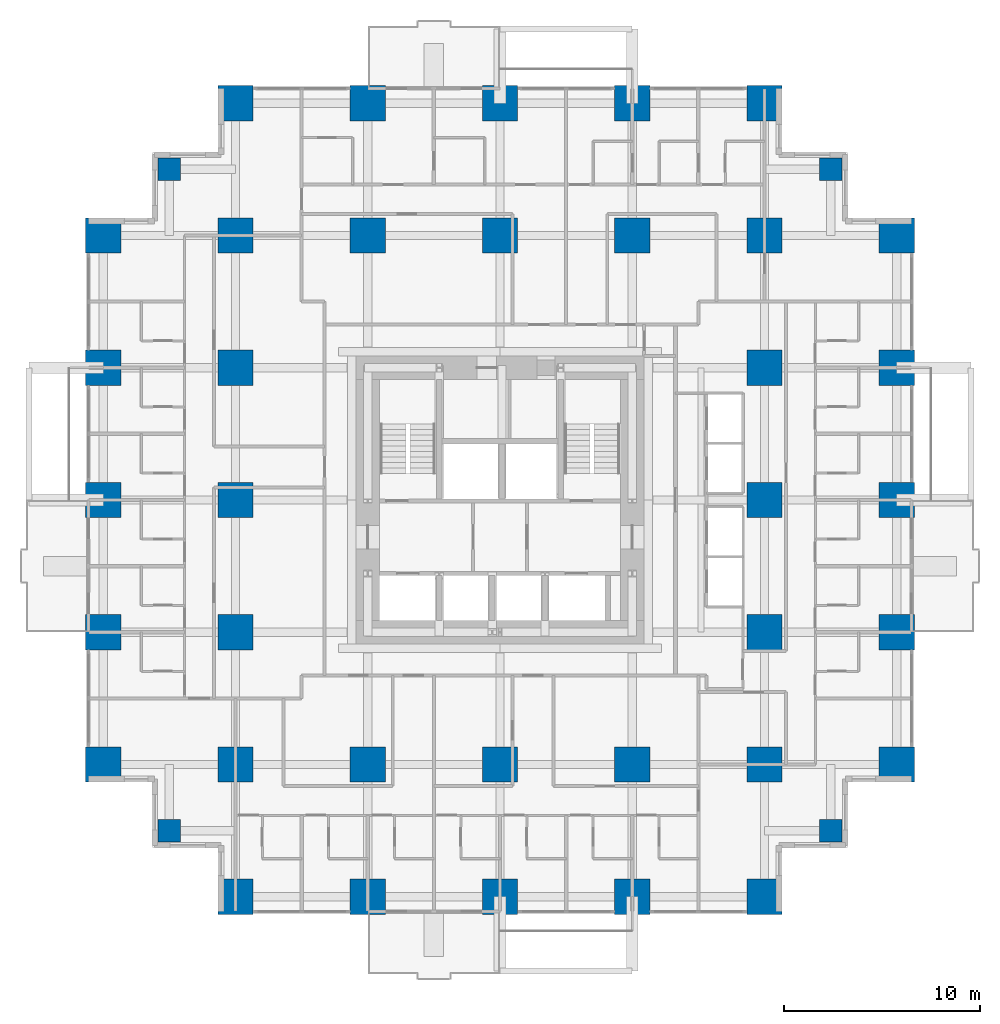
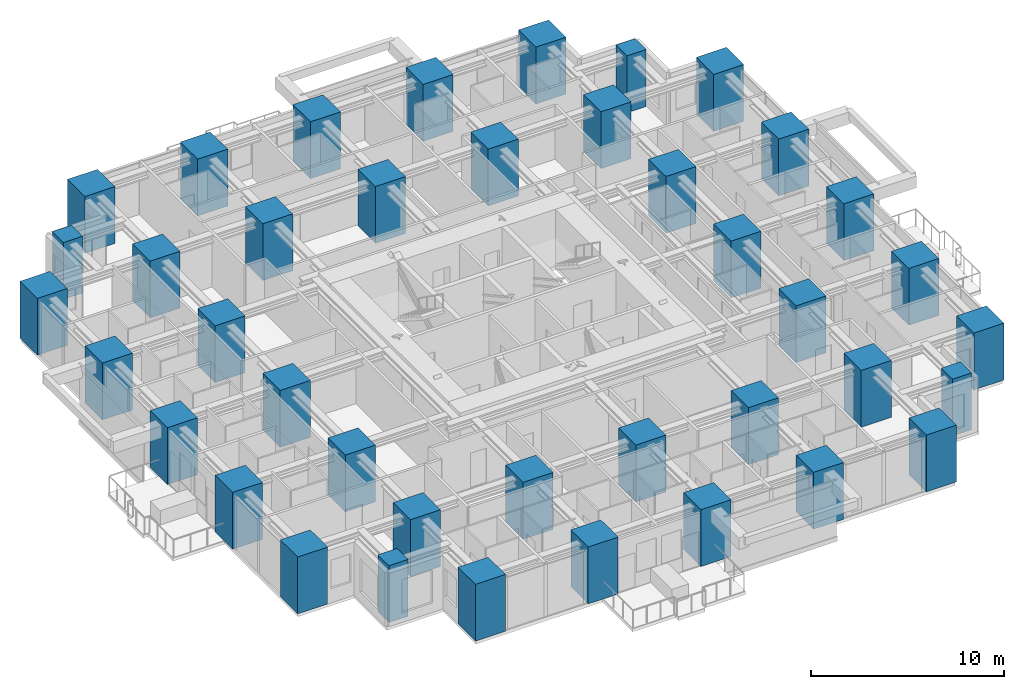
# One storey, part 1 of 15: 40 columns.
"""IFC4 building model written with IfcOpenShell, lengths in metres."""

from ifc_helpers import new_model, si_unit, direction, frame, origin, origin_2d, place, context, subcontext, project, spatial, rectangle, extrude, material, material_profile, profile_set, type_object, element, save


model = new_model("IFC4")

# Units and contexts
model_context = context("Model", 3, precision=1e-05, world=origin(), true_north=direction((0.0, 1.0)))
body_context = subcontext(model_context, "Body", "Model", "MODEL_VIEW")
ifc_project = project(units=[si_unit("LENGTHUNIT", "METRE"), si_unit("AREAUNIT", "SQUARE_METRE"), si_unit("VOLUMEUNIT", "CUBIC_METRE"), si_unit("PLANEANGLEUNIT", "RADIAN"), si_unit("MASSUNIT", "GRAM", prefix="KILO")], contexts=[model_context])

# Site, building, storey
site_placement = place(None, origin())
site = spatial("IfcSite", under=ifc_project, at=site_placement, CompositionType="ELEMENT")
building_placement = place(site_placement, origin())
building = spatial("IfcBuilding", under=site, at=building_placement, Name="Nyansa Garden Tower", CompositionType="ELEMENT")
storey_placement = place(building_placement, frame((0.0, 0.0, 61.199951171875)))
storey = spatial("IfcBuildingStorey", under=building, at=storey_placement, Name="L16", CompositionType="ELEMENT", Elevation=61.199951171875)

# Columns
ifc_material_1 = material(Name="Concrete C70/85", Category="concrete")
ifc_material_profile_1 = material_profile(ifc_material_1, rectangle(XDim=1.14990234375, YDim=1.14990234375, at=origin_2d()), Name="RC 1150x1150")
ifc_profile_set_1 = profile_set([ifc_material_profile_1], Name="Concrete C70/85")
column_type_1 = type_object("IfcColumnType", Name="Column C115 RC 1150x1150", PredefinedType="COLUMN", material=ifc_profile_set_1)
for number, where, z_axis, x_axis, name in (
    (1, (3.375, 3.375, 0.0), (0.0, 0.0, 1.0), (1.0, 0.0, 0.0), "Column x3.375/y3.375 L16"),
    (2, (3.375, 37.125, 0.0), (0.0, 0.0, 1.0), (1.0, 0.0, 0.0), "Column x3.375/y37.125 L16"),
    (3, (37.125, 3.375, 0.0), (0.0, 0.0, 1.0), (1.0, 0.0, 0.0), "Column x37.125/y3.375 L16"),
    (4, (37.125, 37.125, 0.0), (0.0, 0.0, 1.0), (1.0, 0.0, 0.0), "Column x37.125/y37.125 L16"),
):
    element("IfcColumn", number, at=place(storey_placement, frame(where, z_axis=z_axis, x_axis=x_axis)), inside=storey, type_object=column_type_1, Name=name, PredefinedType="COLUMN", context=body_context, shape_type="SweptSolid", body=[
        extrude(rectangle(XDim=1.14990234375, YDim=1.14990234375, at=origin_2d()), origin(), (0.0, 0.0, 1.0), 3.60009765625),
    ])
ifc_material_2 = material(Name="Concrete C80/95", Category="concrete")
ifc_material_profile_2 = material_profile(ifc_material_2, rectangle(XDim=1.800048828125, YDim=1.800048828125, at=origin_2d()), Name="RC 1800x1800")
ifc_profile_set_2 = profile_set([ifc_material_profile_2], Name="Concrete C80/95")
column_type_2 = type_object("IfcColumnType", Name="Column C180 RC 1800x1800", PredefinedType="COLUMN", material=ifc_profile_set_2)
for number, where, z_axis, x_axis, name in (
    (5, (0.0, 6.75, 0.0), (0.0, 0.0, 1.0), (1.0, 0.0, 0.0), "Column 2/E L16"),
    (6, (0.0, 13.5, 0.0), (0.0, 0.0, 1.0), (1.0, 0.0, 0.0), "Column 2/F L16"),
    (7, (0.0, 20.25, 0.0), (0.0, 0.0, 1.0), (1.0, 0.0, 0.0), "Column 2/G L16"),
    (8, (0.0, 27.0, 0.0), (0.0, 0.0, 1.0), (1.0, 0.0, 0.0), "Column 2/H L16"),
    (9, (0.0, 33.75, 0.0), (0.0, 0.0, 1.0), (1.0, 0.0, 0.0), "Column 2/J L16"),
    (10, (6.75, 0.0, 0.0), (0.0, 0.0, 1.0), (1.0, 0.0, 0.0), "Column 3/D L16"),
    (11, (6.75, 6.75, 0.0), (0.0, 0.0, 1.0), (1.0, 0.0, 0.0), "Column 3/E L16"),
    (12, (6.75, 13.5, 0.0), (0.0, 0.0, 1.0), (1.0, 0.0, 0.0), "Column 3/F L16"),
    (13, (6.75, 20.25, 0.0), (0.0, 0.0, 1.0), (1.0, 0.0, 0.0), "Column 3/G L16"),
    (14, (6.75, 27.0, 0.0), (0.0, 0.0, 1.0), (1.0, 0.0, 0.0), "Column 3/H L16"),
    (15, (6.75, 33.75, 0.0), (0.0, 0.0, 1.0), (1.0, 0.0, 0.0), "Column 3/J L16"),
    (16, (6.75, 40.5, 0.0), (0.0, 0.0, 1.0), (1.0, 0.0, 0.0), "Column 3/K L16"),
    (17, (13.5, 0.0, 0.0), (0.0, 0.0, 1.0), (1.0, 0.0, 0.0), "Column 4/D L16"),
    (18, (13.5, 6.75, 0.0), (0.0, 0.0, 1.0), (1.0, 0.0, 0.0), "Column 4/E L16"),
    (19, (13.5, 33.75, 0.0), (0.0, 0.0, 1.0), (1.0, 0.0, 0.0), "Column 4/J L16"),
    (20, (13.5, 40.5, 0.0), (0.0, 0.0, 1.0), (1.0, 0.0, 0.0), "Column 4/K L16"),
    (21, (20.25, 0.0, 0.0), (0.0, 0.0, 1.0), (1.0, 0.0, 0.0), "Column 5/D L16"),
    (22, (20.25, 6.75, 0.0), (0.0, 0.0, 1.0), (1.0, 0.0, 0.0), "Column 5/E L16"),
    (23, (20.25, 33.75, 0.0), (0.0, 0.0, 1.0), (1.0, 0.0, 0.0), "Column 5/J L16"),
    (24, (20.25, 40.5, 0.0), (0.0, 0.0, 1.0), (1.0, 0.0, 0.0), "Column 5/K L16"),
    (25, (27.0, 0.0, 0.0), (0.0, 0.0, 1.0), (1.0, 0.0, 0.0), "Column 6/D L16"),
    (26, (27.0, 6.75, 0.0), (0.0, 0.0, 1.0), (1.0, 0.0, 0.0), "Column 6/E L16"),
    (27, (27.0, 33.75, 0.0), (0.0, 0.0, 1.0), (1.0, 0.0, 0.0), "Column 6/J L16"),
    (28, (27.0, 40.5, 0.0), (0.0, 0.0, 1.0), (1.0, 0.0, 0.0), "Column 6/K L16"),
    (29, (33.75, 0.0, 0.0), (0.0, 0.0, 1.0), (1.0, 0.0, 0.0), "Column 7/D L16"),
    (30, (33.75, 6.75, 0.0), (0.0, 0.0, 1.0), (1.0, 0.0, 0.0), "Column 7/E L16"),
    (31, (33.75, 13.5, 0.0), (0.0, 0.0, 1.0), (1.0, 0.0, 0.0), "Column 7/F L16"),
    (32, (33.75, 20.25, 0.0), (0.0, 0.0, 1.0), (1.0, 0.0, 0.0), "Column 7/G L16"),
    (33, (33.75, 27.0, 0.0), (0.0, 0.0, 1.0), (1.0, 0.0, 0.0), "Column 7/H L16"),
    (34, (33.75, 33.75, 0.0), (0.0, 0.0, 1.0), (1.0, 0.0, 0.0), "Column 7/J L16"),
    (35, (33.75, 40.5, 0.0), (0.0, 0.0, 1.0), (1.0, 0.0, 0.0), "Column 7/K L16"),
    (36, (40.5, 6.75, 0.0), (0.0, 0.0, 1.0), (1.0, 0.0, 0.0), "Column 8/E L16"),
    (37, (40.5, 13.5, 0.0), (0.0, 0.0, 1.0), (1.0, 0.0, 0.0), "Column 8/F L16"),
    (38, (40.5, 20.25, 0.0), (0.0, 0.0, 1.0), (1.0, 0.0, 0.0), "Column 8/G L16"),
    (39, (40.5, 27.0, 0.0), (0.0, 0.0, 1.0), (1.0, 0.0, 0.0), "Column 8/H L16"),
    (40, (40.5, 33.75, 0.0), (0.0, 0.0, 1.0), (1.0, 0.0, 0.0), "Column 8/J L16"),
):
    element("IfcColumn", number, at=place(storey_placement, frame(where, z_axis=z_axis, x_axis=x_axis)), inside=storey, type_object=column_type_2, Name=name, PredefinedType="COLUMN", context=body_context, shape_type="SweptSolid", body=[
        extrude(rectangle(XDim=1.800048828125, YDim=1.800048828125, at=origin_2d()), origin(), (0.0, 0.0, 1.0), 3.60009765625),
    ])

save(model, "model.ifc")
